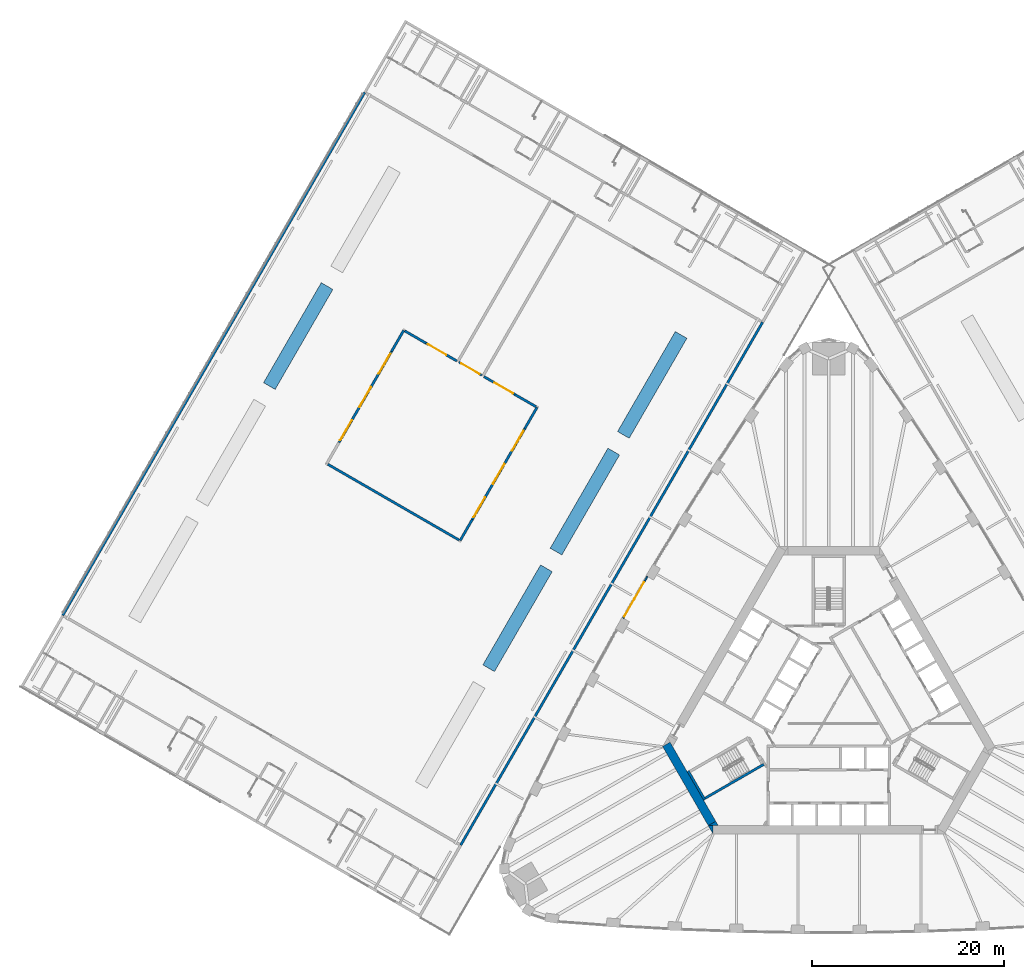
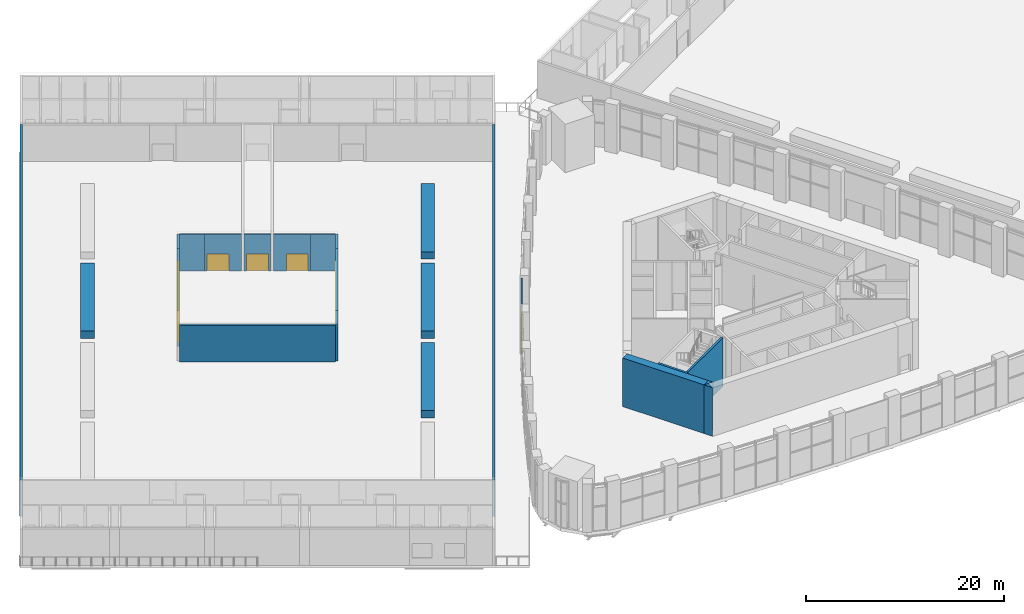
# One storey, part 24 of 41: 23 walls, 6 windows, 5 doors, 11 openings.
"""IFC4 building model written with IfcOpenShell, lengths in metres."""

from ifc_helpers import new_model, si_unit, direction, frame, frame_2d, origin, place, context, subcontext, project, spatial, polyline, rectangle, outline, extrude, material, layer, layer_set, type_object, element, fill, save


model = new_model("IFC4")

# Units and contexts
model_context = context("Model", 3, precision=1e-05, world=origin(), true_north=direction((0.0, 1.0)))
body_context = subcontext(model_context, "Body", "Model", "MODEL_VIEW")
ifc_project = project(units=[si_unit("LENGTHUNIT", "METRE"), si_unit("AREAUNIT", "SQUARE_METRE"), si_unit("VOLUMEUNIT", "CUBIC_METRE"), si_unit("PLANEANGLEUNIT", "RADIAN"), si_unit("MASSUNIT", "GRAM", prefix="KILO")], contexts=[model_context])

# Site, building, storey
site_placement = place(None, origin())
site = spatial("IfcSite", under=ifc_project, at=site_placement, CompositionType="ELEMENT")
building_placement = place(site_placement, origin())
building = spatial("IfcBuilding", under=site, at=building_placement, Name="Mestral Congress Tower", CompositionType="ELEMENT")
storey_placement = place(building_placement, frame((0.0, 0.0, 21.60009765625)))
storey = spatial("IfcBuildingStorey", under=building, at=storey_placement, Name="L04", CompositionType="ELEMENT", Elevation=21.60009765625)

# Walls
ifc_material_1 = material(Name="Concrete C60/75", Category="concrete")
ifc_layer_1 = layer(ifc_material_1, 0.89990234375)
ifc_layer_set_1 = layer_set([ifc_layer_1], Name="Concrete C60/75")
wall_type_1 = type_object("IfcWallType", Name="Core wall RC 900", PredefinedType="SOLIDWALL", material=ifc_layer_set_1)
placement = place(storey_placement, origin())
element("IfcWall", 1, at=placement, inside=storey, type_object=wall_type_1, Name="L04 core wall", PredefinedType="SOLIDWALL", context=body_context, shape_type="SweptSolid", body=[
    extrude(outline(polyline([(-12.528564453125, -12.10009765625), (-12.0205078125, -12.10009765625), (-12.0205078125, -12.97998046875), (-12.528564453125, -12.10009765625)])), origin(), (0.0, 0.0, 1.0), 6.0),
])
wall_2_placement = place(storey_placement, frame((-12.134033203125, -11.88330078125, 0.0), z_axis=(0.0, 0.0, 1.0), x_axis=(-0.500005339912, 0.866022320763, 0.0)))
element("IfcWall", 2, at=wall_2_placement, inside=storey, type_object=wall_type_1, Name="L04 core wall", PredefinedType="SOLIDWALL", context=body_context, shape_type="SweptSolid", body=[
    extrude(rectangle(XDim=9.48779296875, YDim=0.89990234375, at=frame_2d((4.743896484375, 0.0))), origin(), (0.0, 0.0, 1.0), 6.0),
])
element("IfcWall", 3, at=placement, inside=storey, type_object=wall_type_1, Name="L04 core wall", PredefinedType="SOLIDWALL", context=body_context, shape_type="SweptSolid", body=[
    extrude(outline(polyline([(-11.4892578125, -12.10009765625), (-12.50537109375, -12.10009765625), (-11.743408203125, -11.66015625), (-11.4892578125, -12.10009765625)])), origin(), (0.0, 0.0, 1.0), 6.0),
])

# Wall, openings, doors
ifc_material_2 = material(Name="Aluminium-framed glazed screen", Category="aluminium")
ifc_layer_2 = layer(ifc_material_2, 0.14990234375)
ifc_layer_set_2 = layer_set([ifc_layer_2], Name="Aluminium-framed glazed screen")
wall_type_2 = type_object("IfcWallType", Name="Facade entrance screen 150", PredefinedType="SOLIDWALL", material=ifc_layer_set_2)
wall_4_placement = place(storey_placement, frame((-21.352783203125, 9.4423828125, 0.0), z_axis=(0.0, 0.0, 1.0), x_axis=(0.499984603534, 0.866034292756, 0.0)))
wall_4 = element("IfcWall", 4, at=wall_4_placement, inside=storey, type_object=wall_type_2, Name="Entrance screen face 3", PredefinedType="SOLIDWALL", context=body_context, shape_type="SweptSolid", body=[
    extrude(rectangle(XDim=4.998291015625, YDim=0.14990234375, at=frame_2d((2.4990234375, 0.0))), origin(), (0.0, 0.0, 1.0), 5.75),
])
opening_1_placement = place(wall_4_placement, frame((0.199951171875, 0.0, 0.0)))
opening_1 = element("IfcOpeningElement", 5, at=opening_1_placement, cuts=wall_4, Name="Opening P04-505", PredefinedType="OPENING", context=body_context, shape_type="SweptSolid", body=[
    extrude(rectangle(XDim=2.0, YDim=2.39990234375, at=frame_2d((1.0, 1.199951171875))), frame((0.0, 0.0849609375, 0.0), z_axis=(0.0, -1.0, 0.0), x_axis=(1.0, 0.0, 0.0)), (0.0, 0.0, 1.0), 0.169921875),
])
opening_2_placement = place(wall_4_placement, frame((2.300048828125, 0.0, 0.0)))
opening_2 = element("IfcOpeningElement", 6, at=opening_2_placement, cuts=wall_4, Name="Opening P04-506", PredefinedType="OPENING", context=body_context, shape_type="SweptSolid", body=[
    extrude(rectangle(XDim=2.0, YDim=2.39990234375, at=frame_2d((1.0, 1.199951171875))), frame((0.0, 0.0849609375, 0.0), z_axis=(0.0, -1.0, 0.0), x_axis=(1.0, 0.0, 0.0)), (0.0, 0.0, 1.0), 0.169921875),
])
ifc_material_3 = material(Name="Steel and glass door set", Category="steel")
door_type_1 = type_object("IfcDoorType", Name="Podium entrance door 2000x2400", OperationType="DOUBLE_DOOR_SINGLE_SWING", PredefinedType="DOOR", material=ifc_material_3)
door_1_placement = place(opening_1_placement, origin())
door_1 = element("IfcDoor", 7, at=door_1_placement, inside=storey, type_object=door_type_1, Name="Door P04-505", OperationType="DOUBLE_DOOR_SINGLE_SWING", OverallHeight=2.39990234375, OverallWidth=2.0, PredefinedType="DOOR", context=body_context, shape_type="SweptSolid", body=[
    extrude(rectangle(XDim=2.0, YDim=2.39990234375, at=frame_2d((1.0, 1.199951171875))), frame((0.0, 0.02490234375, 0.0), z_axis=(0.0, -1.0, 0.0), x_axis=(1.0, 0.0, 0.0)), (0.0, 0.0, 1.0), 0.050048828125),
])
fill(opening_1, door_1)
door_2_placement = place(opening_2_placement, origin())
door_2 = element("IfcDoor", 8, at=door_2_placement, inside=storey, type_object=door_type_1, Name="Door P04-506", OperationType="DOUBLE_DOOR_SINGLE_SWING", OverallHeight=2.39990234375, OverallWidth=2.0, PredefinedType="DOOR", context=body_context, shape_type="SweptSolid", body=[
    extrude(rectangle(XDim=2.0, YDim=2.39990234375, at=frame_2d((1.0, 1.199951171875))), frame((0.0, 0.02490234375, 0.0), z_axis=(0.0, -1.0, 0.0), x_axis=(1.0, 0.0, 0.0)), (0.0, 0.0, 1.0), 0.050048828125),
])
fill(opening_2, door_2)

# Walls
ifc_material_4 = material(Name="Precast concrete C40/50 with limestone facing", Category="masonry")
ifc_layer_3 = layer(ifc_material_4, 0.25)
ifc_layer_set_3 = layer_set([ifc_layer_3], Name="Precast concrete C40/50 with limestone facing")
wall_type_3 = type_object("IfcWallType", Name="Podium external wall 250 R 180 load-bearing to roof", PredefinedType="SOLIDWALL", material=ifc_layer_set_3)
wall_5_placement = place(storey_placement, frame((-6.875, 40.197998046875, 0.0), z_axis=(0.0, 0.0, 1.0), x_axis=(-0.500000527961, -0.866025098966, 0.0)))
element("IfcWall", 9, at=wall_5_placement, inside=storey, type_object=wall_type_3, Name="L04 external wall", PredefinedType="SOLIDWALL", context=body_context, shape_type="SweptSolid", body=[
    extrude(rectangle(XDim=62.75, YDim=0.25, at=frame_2d((31.375, 0.0))), origin(), (0.0, 0.0, 1.0), 4.5),
])
wall_6_placement = place(storey_placement, frame((-30.310791015625, 31.356201171875, 0.0), z_axis=(0.0, 0.0, 1.0), x_axis=(-0.499990435942, -0.866030925526, 0.0)))
element("IfcWall", 10, at=wall_6_placement, inside=storey, type_object=wall_type_3, Name="L04 external wall", PredefinedType="SOLIDWALL", context=body_context, shape_type="SweptSolid", body=[
    extrude(rectangle(XDim=2.5498046875, YDim=0.25, at=frame_2d((1.27490234375, 0.0))), origin(), (0.0, 0.0, 1.0), 4.5),
])

# Wall, openings, windows
wall_7_placement = place(storey_placement, frame((-31.585693359375, 29.14794921875, 0.0), z_axis=(0.0, 0.0, 1.0), x_axis=(-0.499995831264, -0.866027810592, 0.0)))
wall_7 = element("IfcWall", 11, at=wall_7_placement, inside=storey, type_object=wall_type_3, Name="L04 external wall", PredefinedType="SOLIDWALL", context=body_context, shape_type="SweptSolid", body=[
    extrude(rectangle(XDim=10.89990234375, YDim=0.25, at=frame_2d((5.449951171875, 0.0))), origin(), (0.0, 0.0, 1.0), 4.5),
])
opening_3_placement = place(wall_7_placement, frame((0.25, 0.0, 0.5)))
opening_3 = element("IfcOpeningElement", 12, at=opening_3_placement, cuts=wall_7, Name="Opening PW-2400x2600", PredefinedType="OPENING", context=body_context, shape_type="SweptSolid", body=[
    extrude(rectangle(XDim=2.39990234375, YDim=2.60009765625, at=frame_2d((1.199951171875, 1.300048828125))), frame((0.0, 0.135009765625, 0.0), z_axis=(0.0, -1.0, 0.0), x_axis=(1.0, 0.0, 0.0)), (0.0, 0.0, 1.0), 0.27001953125),
])
opening_4_placement = place(wall_7_placement, frame((4.25, 0.0, 0.5)))
opening_4 = element("IfcOpeningElement", 13, at=opening_4_placement, cuts=wall_7, Name="Opening PW-2400x2600", PredefinedType="OPENING", context=body_context, shape_type="SweptSolid", body=[
    extrude(rectangle(XDim=2.39990234375, YDim=2.60009765625, at=frame_2d((1.199951171875, 1.300048828125))), frame((0.0, 0.135009765625, 0.0), z_axis=(0.0, -1.0, 0.0), x_axis=(1.0, 0.0, 0.0)), (0.0, 0.0, 1.0), 0.27001953125),
])
opening_5_placement = place(wall_7_placement, frame((8.25, 0.0, 0.5)))
opening_5 = element("IfcOpeningElement", 14, at=opening_5_placement, cuts=wall_7, Name="Opening PW-2400x2600", PredefinedType="OPENING", context=body_context, shape_type="SweptSolid", body=[
    extrude(rectangle(XDim=2.39990234375, YDim=2.60009765625, at=frame_2d((1.199951171875, 1.300048828125))), frame((0.0, 0.135009765625, 0.0), z_axis=(0.0, -1.0, 0.0), x_axis=(1.0, 0.0, 0.0)), (0.0, 0.0, 1.0), 0.27001953125),
])
ifc_material_5 = material(Name="Aluminium frame, clear double glazing", Category="aluminium")
window_type = type_object("IfcWindowType", Name="Podium window 2400x2600 sill 500", PartitioningType="SINGLE_PANEL", PredefinedType="WINDOW", material=ifc_material_5)
window_1_placement = place(opening_3_placement, origin())
window_1 = element("IfcWindow", 15, at=window_1_placement, inside=storey, type_object=window_type, Name="Window", OverallHeight=2.60009765625, OverallWidth=2.39990234375, PartitioningType="SINGLE_PANEL", PredefinedType="WINDOW", context=body_context, shape_type="SweptSolid", body=[
    extrude(rectangle(XDim=2.39990234375, YDim=2.60009765625, at=frame_2d((1.199951171875, 1.300048828125))), frame((0.0, 0.030029296875, 0.0), z_axis=(0.0, -1.0, 0.0), x_axis=(1.0, 0.0, 0.0)), (0.0, 0.0, 1.0), 0.06005859375),
])
fill(opening_3, window_1)
window_2_placement = place(opening_4_placement, origin())
window_2 = element("IfcWindow", 16, at=window_2_placement, inside=storey, type_object=window_type, Name="Window", OverallHeight=2.60009765625, OverallWidth=2.39990234375, PartitioningType="SINGLE_PANEL", PredefinedType="WINDOW", context=body_context, shape_type="SweptSolid", body=[
    extrude(rectangle(XDim=2.39990234375, YDim=2.60009765625, at=frame_2d((1.199951171875, 1.300048828125))), frame((0.0, 0.030029296875, 0.0), z_axis=(0.0, -1.0, 0.0), x_axis=(1.0, 0.0, 0.0)), (0.0, 0.0, 1.0), 0.06005859375),
])
fill(opening_4, window_2)
window_3_placement = place(opening_5_placement, origin())
window_3 = element("IfcWindow", 17, at=window_3_placement, inside=storey, type_object=window_type, Name="Window", OverallHeight=2.60009765625, OverallWidth=2.39990234375, PartitioningType="SINGLE_PANEL", PredefinedType="WINDOW", context=body_context, shape_type="SweptSolid", body=[
    extrude(rectangle(XDim=2.39990234375, YDim=2.60009765625, at=frame_2d((1.199951171875, 1.300048828125))), frame((0.0, 0.030029296875, 0.0), z_axis=(0.0, -1.0, 0.0), x_axis=(1.0, 0.0, 0.0)), (0.0, 0.0, 1.0), 0.06005859375),
])
fill(opening_5, window_3)

# Walls
for number, where, z_axis, x_axis, name in (
    (18, (-37.03564453125, 19.708251953125, 0.0), (0.0, 0.0, 1.0), (-0.500062241894, -0.865989465428, 0.0), "L04 external wall"),
    (19, (-45.442138671875, 37.14794921875, 0.0), (0.0, 0.0, 1.0), (0.500062241894, 0.865989465428, 0.0), "L04 external wall"),
):
    element("IfcWall", number, at=place(storey_placement, frame(where, z_axis=z_axis, x_axis=x_axis)), inside=storey, type_object=wall_type_3, Name=name, PredefinedType="SOLIDWALL", context=body_context, shape_type="SweptSolid", body=[
        extrude(rectangle(XDim=2.550048828125, YDim=0.25, at=frame_2d((1.27490234375, 0.0))), origin(), (0.0, 0.0, 1.0), 4.5),
    ])

# Wall, openings, windows
wall_8_placement = place(storey_placement, frame((-50.89208984375, 27.708251953125, 0.0), z_axis=(0.0, 0.0, 1.0), x_axis=(0.499995831264, 0.866027810592, 0.0)))
wall_8 = element("IfcWall", 20, at=wall_8_placement, inside=storey, type_object=wall_type_3, Name="L04 external wall", PredefinedType="SOLIDWALL", context=body_context, shape_type="SweptSolid", body=[
    extrude(rectangle(XDim=10.89990234375, YDim=0.25, at=frame_2d((5.449951171875, 0.0))), origin(), (0.0, 0.0, 1.0), 4.5),
])
opening_6_placement = place(wall_8_placement, frame((8.25, 0.0, 0.5)))
opening_6 = element("IfcOpeningElement", 21, at=opening_6_placement, cuts=wall_8, Name="Opening PW-2400x2600", PredefinedType="OPENING", context=body_context, shape_type="SweptSolid", body=[
    extrude(rectangle(XDim=2.39990234375, YDim=2.60009765625, at=frame_2d((1.199951171875, 1.300048828125))), frame((0.0, 0.135009765625, 0.0), z_axis=(0.0, -1.0, 0.0), x_axis=(1.0, 0.0, 0.0)), (0.0, 0.0, 1.0), 0.27001953125),
])
opening_7_placement = place(wall_8_placement, frame((4.25, 0.0, 0.5)))
opening_7 = element("IfcOpeningElement", 22, at=opening_7_placement, cuts=wall_8, Name="Opening PW-2400x2600", PredefinedType="OPENING", context=body_context, shape_type="SweptSolid", body=[
    extrude(rectangle(XDim=2.39990234375, YDim=2.60009765625, at=frame_2d((1.199951171875, 1.300048828125))), frame((0.0, 0.135009765625, 0.0), z_axis=(0.0, -1.0, 0.0), x_axis=(1.0, 0.0, 0.0)), (0.0, 0.0, 1.0), 0.27001953125),
])
opening_8_placement = place(wall_8_placement, frame((0.25, 0.0, 0.5)))
opening_8 = element("IfcOpeningElement", 23, at=opening_8_placement, cuts=wall_8, Name="Opening PW-2400x2600", PredefinedType="OPENING", context=body_context, shape_type="SweptSolid", body=[
    extrude(rectangle(XDim=2.39990234375, YDim=2.60009765625, at=frame_2d((1.199951171875, 1.300048828125))), frame((0.0, 0.135009765625, 0.0), z_axis=(0.0, -1.0, 0.0), x_axis=(1.0, 0.0, 0.0)), (0.0, 0.0, 1.0), 0.27001953125),
])
window_4_placement = place(opening_6_placement, origin())
window_4 = element("IfcWindow", 24, at=window_4_placement, inside=storey, type_object=window_type, Name="Window", OverallHeight=2.60009765625, OverallWidth=2.39990234375, PartitioningType="SINGLE_PANEL", PredefinedType="WINDOW", context=body_context, shape_type="SweptSolid", body=[
    extrude(rectangle(XDim=2.39990234375, YDim=2.60009765625, at=frame_2d((1.199951171875, 1.300048828125))), frame((0.0, 0.030029296875, 0.0), z_axis=(0.0, -1.0, 0.0), x_axis=(1.0, 0.0, 0.0)), (0.0, 0.0, 1.0), 0.06005859375),
])
fill(opening_6, window_4)
window_5_placement = place(opening_7_placement, origin())
window_5 = element("IfcWindow", 25, at=window_5_placement, inside=storey, type_object=window_type, Name="Window", OverallHeight=2.60009765625, OverallWidth=2.39990234375, PartitioningType="SINGLE_PANEL", PredefinedType="WINDOW", context=body_context, shape_type="SweptSolid", body=[
    extrude(rectangle(XDim=2.39990234375, YDim=2.60009765625, at=frame_2d((1.199951171875, 1.300048828125))), frame((0.0, 0.030029296875, 0.0), z_axis=(0.0, -1.0, 0.0), x_axis=(1.0, 0.0, 0.0)), (0.0, 0.0, 1.0), 0.06005859375),
])
fill(opening_7, window_5)
window_6_placement = place(opening_8_placement, origin())
window_6 = element("IfcWindow", 26, at=window_6_placement, inside=storey, type_object=window_type, Name="Window", OverallHeight=2.60009765625, OverallWidth=2.39990234375, PartitioningType="SINGLE_PANEL", PredefinedType="WINDOW", context=body_context, shape_type="SweptSolid", body=[
    extrude(rectangle(XDim=2.39990234375, YDim=2.60009765625, at=frame_2d((1.199951171875, 1.300048828125))), frame((0.0, 0.030029296875, 0.0), z_axis=(0.0, -1.0, 0.0), x_axis=(1.0, 0.0, 0.0)), (0.0, 0.0, 1.0), 0.06005859375),
])
fill(opening_8, window_6)

# Walls
wall_9_placement = place(storey_placement, frame((-79.602783203125, 9.72998046875, 0.0), z_axis=(0.0, 0.0, 1.0), x_axis=(0.500000527961, 0.866025098966, 0.0)))
element("IfcWall", 27, at=wall_9_placement, inside=storey, type_object=wall_type_3, Name="L04 external wall", PredefinedType="SOLIDWALL", context=body_context, shape_type="SweptSolid", body=[
    extrude(rectangle(XDim=62.75, YDim=0.25, at=frame_2d((31.375, 0.0))), origin(), (0.0, 0.0, 1.0), 4.5),
])
wall_10_placement = place(storey_placement, frame((-32.605712890625, 32.681396484375, 0.0), z_axis=(0.0, 0.0, 1.0), x_axis=(0.865997200291, -0.500048846702, 0.0)))
element("IfcWall", 28, at=wall_10_placement, inside=storey, type_object=wall_type_3, Name="L04 external wall", PredefinedType="SOLIDWALL", context=body_context, shape_type="SweptSolid", body=[
    extrude(rectangle(XDim=2.525146484375, YDim=0.25, at=frame_2d((1.2626953125, 0.0))), origin(), (0.0, 0.0, 1.0), 4.5),
])

# Wall, opening, door
wall_11_placement = place(storey_placement, frame((-35.83154296875, 34.543701171875, 0.0), z_axis=(0.0, 0.0, 1.0), x_axis=(0.866040420308, -0.499973989716, 0.0)))
wall_11 = element("IfcWall", 29, at=wall_11_placement, inside=storey, type_object=wall_type_3, Name="L04 external wall", PredefinedType="SOLIDWALL", context=body_context, shape_type="SweptSolid", body=[
    extrude(rectangle(XDim=3.724853515625, YDim=0.25, at=frame_2d((1.8623046875, 0.0))), origin(), (0.0, 0.0, 1.0), 4.5),
])
opening_9_placement = place(wall_11_placement, frame((1.27490234375, 0.0, 0.0)))
opening_9 = element("IfcOpeningElement", 30, at=opening_9_placement, cuts=wall_11, Name="Opening P04-303", PredefinedType="OPENING", context=body_context, shape_type="SweptSolid", body=[
    extrude(rectangle(XDim=2.199951171875, YDim=2.10009765625, at=frame_2d((1.10009765625, 1.050048828125))), frame((0.0, 0.135009765625, 0.0), z_axis=(0.0, -1.0, 0.0), x_axis=(1.0, 0.0, 0.0)), (0.0, 0.0, 1.0), 0.27001953125),
])
door_type_2 = type_object("IfcDoorType", Name="Podium entrance door 2200x2100", OperationType="DOUBLE_DOOR_SINGLE_SWING", PredefinedType="DOOR", material=ifc_material_3)
door_3_placement = place(opening_9_placement, origin())
door_3 = element("IfcDoor", 31, at=door_3_placement, inside=storey, type_object=door_type_2, Name="Door P04-303", OperationType="DOUBLE_DOOR_SINGLE_SWING", OverallHeight=2.10009765625, OverallWidth=2.199951171875, PredefinedType="DOOR", context=body_context, shape_type="SweptSolid", body=[
    extrude(rectangle(XDim=2.199951171875, YDim=2.10009765625, at=frame_2d((1.10009765625, 1.050048828125))), frame((0.0, 0.02490234375, 0.0), z_axis=(0.0, -1.0, 0.0), x_axis=(1.0, 0.0, 0.0)), (0.0, 0.0, 1.0), 0.050048828125),
])
fill(opening_9, door_3)

wall_12_placement = place(storey_placement, frame((-41.8720703125, 38.03125, 0.0), z_axis=(0.0, 0.0, 1.0), x_axis=(0.866012039196, -0.500023147432, 0.0)))
wall_12 = element("IfcWall", 32, at=wall_12_placement, inside=storey, type_object=wall_type_3, Name="L04 external wall", PredefinedType="SOLIDWALL", context=body_context, shape_type="SweptSolid", body=[
    extrude(rectangle(XDim=3.724853515625, YDim=0.25, at=frame_2d((1.8623046875, 0.0))), origin(), (0.0, 0.0, 1.0), 4.5),
])
opening_10_placement = place(wall_12_placement, frame((0.25, 0.0, 0.0)))
opening_10 = element("IfcOpeningElement", 33, at=opening_10_placement, cuts=wall_12, Name="Opening P04-304", PredefinedType="OPENING", context=body_context, shape_type="SweptSolid", body=[
    extrude(rectangle(XDim=2.199951171875, YDim=2.10009765625, at=frame_2d((1.10009765625, 1.050048828125))), frame((0.0, 0.135009765625, 0.0), z_axis=(0.0, -1.0, 0.0), x_axis=(1.0, 0.0, 0.0)), (0.0, 0.0, 1.0), 0.27001953125),
])
door_4_placement = place(opening_10_placement, origin())
door_4 = element("IfcDoor", 34, at=door_4_placement, inside=storey, type_object=door_type_2, Name="Door P04-304", OperationType="DOUBLE_DOOR_SINGLE_SWING", OverallHeight=2.10009765625, OverallWidth=2.199951171875, PredefinedType="DOOR", context=body_context, shape_type="SweptSolid", body=[
    extrude(rectangle(XDim=2.199951171875, YDim=2.10009765625, at=frame_2d((1.10009765625, 1.050048828125))), frame((0.0, 0.02490234375, 0.0), z_axis=(0.0, -1.0, 0.0), x_axis=(1.0, 0.0, 0.0)), (0.0, 0.0, 1.0), 0.050048828125),
])
fill(opening_10, door_4)

# Walls
wall_13_placement = place(storey_placement, frame((-44.058837890625, 39.293701171875, 0.0), z_axis=(0.0, 0.0, 1.0), x_axis=(0.866039067339, -0.499976333282, 0.0)))
element("IfcWall", 35, at=wall_13_placement, inside=storey, type_object=wall_type_3, Name="L04 external wall", PredefinedType="SOLIDWALL", context=body_context, shape_type="SweptSolid", body=[
    extrude(rectangle(XDim=2.52490234375, YDim=0.25, at=frame_2d((1.262451171875, 0.0))), origin(), (0.0, 0.0, 1.0), 4.5),
])
wall_14_placement = place(storey_placement, frame((-38.4189453125, 17.5625, 0.0), z_axis=(0.0, 0.0, 1.0), x_axis=(-0.866025284237, 0.500000207062, 0.0)))
element("IfcWall", 36, at=wall_14_placement, inside=storey, type_object=wall_type_3, Name="L04 external wall", PredefinedType="SOLIDWALL", context=body_context, shape_type="SweptSolid", body=[
    extrude(rectangle(XDim=15.75, YDim=0.25, at=frame_2d((7.875, 0.0))), origin(), (0.0, 0.0, 1.0), 4.5),
])

# Wall, opening, door
ifc_material_6 = material(Name="Fire-rated board partition")
ifc_layer_4 = layer(ifc_material_6, 0.199951171875)
ifc_layer_set_4 = layer_set([ifc_layer_4], Name="Fire-rated board partition")
wall_type_4 = type_object("IfcWallType", Name="Podium partition 200 EI 120", PredefinedType="PARTITIONING", material=ifc_layer_set_4)
wall_15_placement = place(storey_placement, frame((-36.048095703125, 34.668701171875, 0.0), z_axis=(0.0, 0.0, 1.0), x_axis=(-0.866027397988, 0.499996545922, 0.0)))
wall_15 = element("IfcWall", 37, at=wall_15_placement, inside=storey, type_object=wall_type_4, Name="L04 partition", PredefinedType="PARTITIONING", context=body_context, shape_type="SweptSolid", body=[
    extrude(rectangle(XDim=2.75, YDim=0.199951171875, at=frame_2d((1.375, 0.0))), origin(), (0.0, 0.0, 1.0), 4.5),
])
opening_11_placement = place(wall_15_placement, frame((0.27490234375, 0.0, 0.0)))
opening_11 = element("IfcOpeningElement", 38, at=opening_11_placement, cuts=wall_15, Name="Opening P04-333", PredefinedType="OPENING", context=body_context, shape_type="SweptSolid", body=[
    extrude(rectangle(XDim=2.199951171875, YDim=2.10009765625, at=frame_2d((1.10009765625, 1.050048828125))), frame((0.0, 0.10986328125, 0.0), z_axis=(0.0, -1.0, 0.0), x_axis=(1.0, 0.0, 0.0)), (0.0, 0.0, 1.0), 0.219970703125),
])
ifc_material_7 = material(Name="Fire-rated steel door set", Category="steel")
door_type_3 = type_object("IfcDoorType", Name="Podium room door 2200x2100 EI2 30-C5", OperationType="DOUBLE_DOOR_SINGLE_SWING", PredefinedType="DOOR", material=ifc_material_7)
door_5_placement = place(opening_11_placement, origin())
door_5 = element("IfcDoor", 39, at=door_5_placement, inside=storey, type_object=door_type_3, Name="Door P04-333", OperationType="DOUBLE_DOOR_SINGLE_SWING", OverallHeight=2.10009765625, OverallWidth=2.199951171875, PredefinedType="DOOR", context=body_context, shape_type="SweptSolid", body=[
    extrude(rectangle(XDim=2.199951171875, YDim=2.10009765625, at=frame_2d((1.10009765625, 1.050048828125))), frame((0.0, 0.02490234375, 0.0), z_axis=(0.0, -1.0, 0.0), x_axis=(1.0, 0.0, 0.0)), (0.0, 0.0, 1.0), 0.050048828125),
])
fill(opening_11, door_5)

# Walls
ifc_material_8 = material(Name="Precast concrete C30/37 planter", Category="concrete")
ifc_layer_5 = layer(ifc_material_8, 1.39990234375)
ifc_layer_set_5 = layer_set([ifc_layer_5], Name="Precast concrete C30/37 planter")
wall_type_5 = type_object("IfcWallType", Name="Podium planter bed 1400", PredefinedType="SOLIDWALL", material=ifc_layer_set_5)
for number, where, z_axis, x_axis, name in (
    (40, (-15.34326171875, 38.880615234375, 0.0), (0.0, 0.0, 1.0), (-0.49999894854, -0.866026010844, 0.0), "PLANTER"),
    (41, (-22.34326171875, 26.75634765625, 0.0), (0.0, 0.0, 1.0), (-0.49999894854, -0.866026010844, 0.0), "PLANTER"),
    (42, (-29.34326171875, 14.6318359375, 0.0), (0.0, 0.0, 1.0), (-0.49999894854, -0.866026010844, 0.0), "PLANTER"),
    (43, (-52.134521484375, 43.956298828125, 0.0), (0.0, 0.0, 1.0), (-0.49999894854, -0.866026010844, 0.0), "PLANTER"),
):
    element("IfcWall", number, at=place(storey_placement, frame(where, z_axis=z_axis, x_axis=x_axis)), inside=storey, type_object=wall_type_5, Name=name, PredefinedType="SOLIDWALL", context=body_context, shape_type="SweptSolid", body=[
        extrude(rectangle(XDim=12.0, YDim=1.39990234375, at=frame_2d((6.0, 0.0))), origin(), (0.0, 0.0, 1.0), 0.89990234375),
    ])
ifc_layer_6 = layer(ifc_material_1, 0.25)
ifc_layer_set_6 = layer_set([ifc_layer_6], Name="Concrete C60/75")
wall_type_6 = type_object("IfcWallType", Name="Stair wall RC 250", PredefinedType="SOLIDWALL", material=ifc_layer_set_6)
wall_16_placement = place(storey_placement, frame((-12.885498046875, -9.431396484375, 0.0), z_axis=(0.0, 0.0, 1.0), x_axis=(-0.500020560727, 0.866013532718, 0.0)))
element("IfcWall", 44, at=wall_16_placement, inside=storey, type_object=wall_type_6, Name="L04 core wall", PredefinedType="SOLIDWALL", context=body_context, shape_type="SweptSolid", body=[
    extrude(rectangle(XDim=3.449951171875, YDim=0.25, at=frame_2d((1.72509765625, 0.0))), origin(), (0.0, 0.0, 1.0), 6.0),
])
wall_17_placement = place(storey_placement, frame((-12.83984375, -9.2607421875, 0.0), z_axis=(0.0, 0.0, 1.0), x_axis=(0.866016039709, 0.500016218704, 0.0)))
element("IfcWall", 45, at=wall_17_placement, inside=storey, type_object=wall_type_6, Name="L04 core wall", PredefinedType="SOLIDWALL", context=body_context, shape_type="SweptSolid", body=[
    extrude(rectangle(XDim=7.050048828125, YDim=0.25, at=frame_2d((3.52490234375, 0.0))), origin(), (0.0, 0.0, 1.0), 6.0),
])

save(model, "model.ifc")
